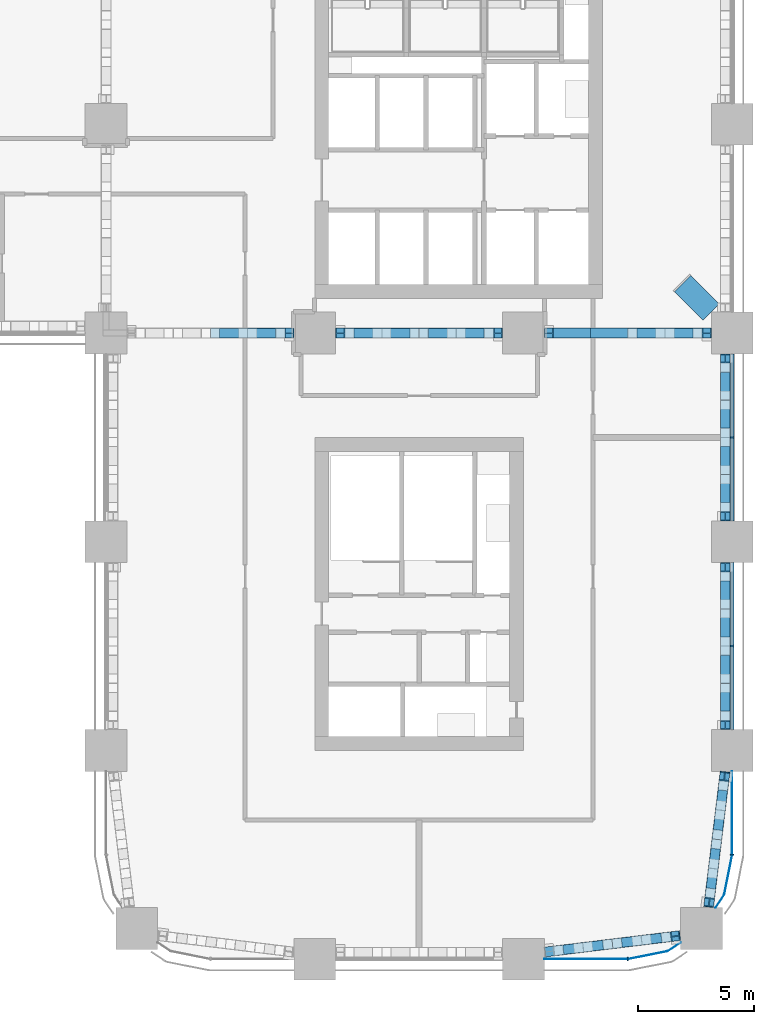
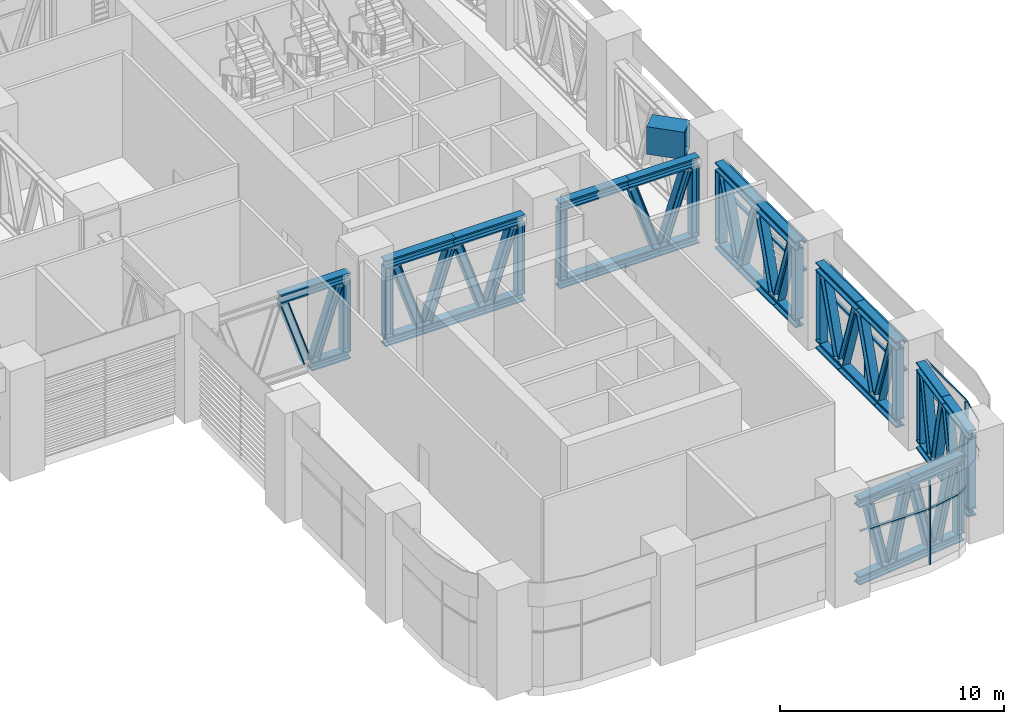
# One storey, part 5 of 24: 80 members, 1 beam, 4 elements without a shape of their own.
"""IFC4 building model written with IfcOpenShell, lengths in metres."""

from ifc_helpers import new_model, si_unit, direction, frame, origin, origin_2d, place, context, subcontext, project, spatial, polyline, rectangle, hollow_rectangle, i_section, outline, extrude, material, material_profile, profile_set, type_object, element, aggregate, save


model = new_model("IFC4")

# Units and contexts
model_context = context("Model", 3, precision=1e-05, world=origin(), true_north=direction((0.0, 1.0)))
body_context = subcontext(model_context, "Body", "Model", "MODEL_VIEW")
ifc_project = project(units=[si_unit("LENGTHUNIT", "METRE"), si_unit("AREAUNIT", "SQUARE_METRE"), si_unit("VOLUMEUNIT", "CUBIC_METRE"), si_unit("PLANEANGLEUNIT", "RADIAN"), si_unit("MASSUNIT", "GRAM", prefix="KILO")], contexts=[model_context])

# Site, building, storey
site_placement = place(None, origin())
site = spatial("IfcSite", under=ifc_project, at=site_placement, CompositionType="ELEMENT")
building_placement = place(site_placement, origin())
building = spatial("IfcBuilding", under=site, at=building_placement, Name="Tessera Arch", CompositionType="ELEMENT")
storey_placement = place(building_placement, frame((0.0, 0.0, 123.39990234375)))
storey = spatial("IfcBuildingStorey", under=building, at=storey_placement, Name="L29", CompositionType="ELEMENT", Elevation=123.39990234375)

# Curtain wall, member
ifc_material_1 = material(Name="CW7 curtain wall")
curtain_wall_type = type_object("IfcCurtainWallType", Name="CW7 curtain wall", PredefinedType="NOTDEFINED", material=ifc_material_1)
curtain_wall_1_placement = place(storey_placement, origin())
curtain_wall_1 = element("IfcCurtainWall", 1, at=curtain_wall_1_placement, inside=storey, type_object=curtain_wall_type, Name="CW7 curtain wall S0.27/2 L29", PredefinedType="NOTDEFINED")
ifc_material_2 = material(Name="Anodised aluminium pale metal", Category="aluminium")
ifc_material_profile_1 = material_profile(ifc_material_2, rectangle(XDim=0.159912109375, YDim=0.06005859375, at=origin_2d()), Name="AL 60x160")
ifc_profile_set_1 = profile_set([ifc_material_profile_1], Name="Anodised aluminium pale metal")
member_type_1 = type_object("IfcMemberType", Name="CW7 mullion", PredefinedType="MULLION", material=ifc_profile_set_1)
member_1_placement = place(storey_placement, frame((49.5, 0.0, 0.0), z_axis=(0.0, 0.0, 1.0), x_axis=(0.0, 1.0, 0.0)))
member_1 = element("IfcMember", 2, at=member_1_placement, type_object=member_type_1, Name="CW7 mullion S0.27/2 1", PredefinedType="MULLION", context=body_context, shape_type="SweptSolid", body=[
    extrude(rectangle(XDim=0.159912109375, YDim=0.06005859375, at=origin_2d()), origin(), (0.0, 0.0, 1.0), 4.580078125),
])

curtain_wall_2_placement = place(storey_placement, origin())
curtain_wall_2 = element("IfcCurtainWall", 3, at=curtain_wall_2_placement, inside=storey, type_object=curtain_wall_type, Name="CW7 curtain wall E54.0/0 L29", PredefinedType="NOTDEFINED")
member_2_placement = place(storey_placement, frame((54.0, 4.5, 0.0), z_axis=(0.0, 0.0, 1.0), x_axis=(-1.0, 0.0, 0.0)))
member_2 = element("IfcMember", 4, at=member_2_placement, type_object=member_type_1, Name="CW7 mullion E54.0/0 1", PredefinedType="MULLION", context=body_context, shape_type="SweptSolid", body=[
    extrude(rectangle(XDim=0.159912109375, YDim=0.06005859375, at=origin_2d()), origin(), (0.0, 0.0, 1.0), 4.580078125),
])

curtain_wall_3_placement = place(storey_placement, origin())
curtain_wall_3 = element("IfcCurtainWall", 5, at=curtain_wall_3_placement, inside=storey, type_object=curtain_wall_type, Name="CW7 curtain wall E54.0/1 L29", PredefinedType="NOTDEFINED")
member_3_placement = place(storey_placement, frame((54.0, 13.5, 0.0), z_axis=(0.0, 0.0, 1.0), x_axis=(-1.0, 0.0, 0.0)))
member_3 = element("IfcMember", 6, at=member_3_placement, type_object=member_type_1, Name="CW7 mullion E54.0/1 1", PredefinedType="MULLION", context=body_context, shape_type="SweptSolid", body=[
    extrude(rectangle(XDim=0.159912109375, YDim=0.06005859375, at=origin_2d()), origin(), (0.0, 0.0, 1.0), 4.47021484375),
])

curtain_wall_4_placement = place(storey_placement, origin())
curtain_wall_4 = element("IfcCurtainWall", 7, at=curtain_wall_4_placement, inside=storey, type_object=curtain_wall_type, Name="CW7 curtain wall E54.0/2 L29", PredefinedType="NOTDEFINED")
member_4_placement = place(storey_placement, frame((54.0, 22.5, 0.0), z_axis=(0.0, 0.0, 1.0), x_axis=(-1.0, 0.0, 0.0)))
member_4 = element("IfcMember", 8, at=member_4_placement, type_object=member_type_1, Name="CW7 mullion E54.0/2 1", PredefinedType="MULLION", context=body_context, shape_type="SweptSolid", body=[
    extrude(rectangle(XDim=0.159912109375, YDim=0.06005859375, at=origin_2d()), origin(), (0.0, 0.0, 1.0), 4.47021484375),
])

# Member
ifc_material_3 = material(Name="Anodised aluminium pale metal", Category="aluminium")
ifc_material_profile_2 = material_profile(ifc_material_3, rectangle(XDim=0.159912109375, YDim=0.1201171875, at=origin_2d()), Name="AL 160x120")
ifc_profile_set_2 = profile_set([ifc_material_profile_2], Name="Anodised aluminium pale metal")
member_type_2 = type_object("IfcMemberType", Name="CW7 transom", PredefinedType="USERDEFINED", material=ifc_profile_set_2)
member_5_placement = place(storey_placement, frame((0.0, 0.0, 3.0)))
member_5 = element("IfcMember", 9, at=member_5_placement, type_object=member_type_2, Name="CW7 transom S0.27/2 1", ObjectType="TRANSOM", PredefinedType="USERDEFINED", context=body_context, shape_type="SweptSolid", body=[
    extrude(outline(polyline([(49.4990234375, 0.010009765625), (45.89990234375, 0.010009765625), (45.89990234375, -0.010009765625), (49.5009765625, -0.010009765625), (51.22607421875, 0.3330078125), (51.78759765625, 0.70849609375), (51.7763671875, 0.72509765625), (51.21826171875, 0.351806640625), (49.4990234375, 0.010009765625)])), origin(), (0.0, 0.0, 1.0), 0.1201171875),
])

member_6_placement = place(storey_placement, frame((0.0, 0.0, 4.580078125)))
member_6 = element("IfcMember", 10, at=member_6_placement, type_object=member_type_2, Name="CW7 transom S0.27/2 2", ObjectType="TRANSOM", PredefinedType="USERDEFINED", context=body_context, shape_type="SweptSolid", body=[
    extrude(outline(polyline([(49.4990234375, 0.010009765625), (45.89990234375, 0.010009765625), (45.89990234375, -0.010009765625), (49.5009765625, -0.010009765625), (51.22607421875, 0.3330078125), (51.78759765625, 0.70849609375), (51.7763671875, 0.72509765625), (51.21826171875, 0.351806640625), (49.4990234375, 0.010009765625)])), origin(), (0.0, 0.0, 1.0), 0.1201171875),
])

aggregate(curtain_wall_1, [member_1, member_5, member_6])

member_7_placement = place(storey_placement, frame((0.0, 0.0, 3.0)))
member_7 = element("IfcMember", 11, at=member_7_placement, type_object=member_type_2, Name="CW7 transom E54.0/0 1", ObjectType="TRANSOM", PredefinedType="USERDEFINED", context=body_context, shape_type="SweptSolid", body=[
    extrude(outline(polyline([(53.648193359375, 2.78173828125), (53.27490234375, 2.2236328125), (53.29150390625, 2.21240234375), (53.6669921875, 2.77392578125), (54.010009765625, 4.4990234375), (54.010009765625, 8.10009765625), (53.989990234375, 8.10009765625), (53.989990234375, 4.5009765625), (53.648193359375, 2.78173828125)])), origin(), (0.0, 0.0, 1.0), 0.1201171875),
])

member_8_placement = place(storey_placement, frame((0.0, 0.0, 4.580078125)))
member_8 = element("IfcMember", 12, at=member_8_placement, type_object=member_type_2, Name="CW7 transom E54.0/0 2", ObjectType="TRANSOM", PredefinedType="USERDEFINED", context=body_context, shape_type="SweptSolid", body=[
    extrude(outline(polyline([(53.648193359375, 2.78173828125), (53.27490234375, 2.2236328125), (53.29150390625, 2.21240234375), (53.6669921875, 2.77392578125), (54.010009765625, 4.4990234375), (54.010009765625, 8.10009765625), (53.989990234375, 8.10009765625), (53.989990234375, 4.5009765625), (53.648193359375, 2.78173828125)])), origin(), (0.0, 0.0, 1.0), 0.1201171875),
])

aggregate(curtain_wall_2, [member_2, member_7, member_8])

member_9_placement = place(storey_placement, frame((54.0, 9.89990234375, 4.530029296875), z_axis=(0.0, 1.0, 0.0), x_axis=(-1.0, 0.0, 0.0)))
member_9 = element("IfcMember", 13, at=member_9_placement, type_object=member_type_2, Name="CW7 transom E54.0/1 1.1", ObjectType="TRANSOM", PredefinedType="USERDEFINED", context=body_context, shape_type="SweptSolid", body=[
    extrude(rectangle(XDim=0.159912109375, YDim=0.1201171875, at=origin_2d()), origin(), (0.0, 0.0, 1.0), 7.2001953125),
])

member_10_placement = place(storey_placement, frame((54.0, 9.89990234375, 3.0), z_axis=(0.0, 1.0, 0.0), x_axis=(-1.0, 0.0, 0.0)))
member_10 = element("IfcMember", 14, at=member_10_placement, type_object=member_type_2, Name="CW7 transom E54.0/1 2.1", ObjectType="TRANSOM", PredefinedType="USERDEFINED", context=body_context, shape_type="SweptSolid", body=[
    extrude(rectangle(XDim=0.159912109375, YDim=0.1201171875, at=origin_2d()), origin(), (0.0, 0.0, 1.0), 7.2001953125),
])

aggregate(curtain_wall_3, [member_3, member_9, member_10])

member_11_placement = place(storey_placement, frame((54.0, 18.89990234375, 4.530029296875), z_axis=(0.0, 1.0, 0.0), x_axis=(-1.0, 0.0, 0.0)))
member_11 = element("IfcMember", 15, at=member_11_placement, type_object=member_type_2, Name="CW7 transom E54.0/2 1.1", ObjectType="TRANSOM", PredefinedType="USERDEFINED", context=body_context, shape_type="SweptSolid", body=[
    extrude(rectangle(XDim=0.159912109375, YDim=0.1201171875, at=origin_2d()), origin(), (0.0, 0.0, 1.0), 7.2001953125),
])

member_12_placement = place(storey_placement, frame((54.0, 18.89990234375, 3.0), z_axis=(0.0, 1.0, 0.0), x_axis=(-1.0, 0.0, 0.0)))
member_12 = element("IfcMember", 16, at=member_12_placement, type_object=member_type_2, Name="CW7 transom E54.0/2 2.1", ObjectType="TRANSOM", PredefinedType="USERDEFINED", context=body_context, shape_type="SweptSolid", body=[
    extrude(rectangle(XDim=0.159912109375, YDim=0.1201171875, at=origin_2d()), origin(), (0.0, 0.0, 1.0), 7.2001953125),
])

aggregate(curtain_wall_4, [member_4, member_11, member_12])

# Beam
ifc_material_4 = material(Name="Steel A572 Gr50", Category="steel")
ifc_material_profile_3 = material_profile(ifc_material_4, hollow_rectangle(XDim=1.0, YDim=1.5, WallThickness=0.080078125, at=origin_2d()), Name="BOX 1000x1500x80")
ifc_profile_set_3 = profile_set([ifc_material_profile_3], Name="Steel A572 Gr50")
beam_type = type_object("IfcBeamType", Name="Corner transfer girder BOX 1000x1500x80", PredefinedType="BEAM", material=ifc_profile_set_3)
beam_placement = place(storey_placement, frame((53.10009765625, 27.89990234375, 4.9501953125), z_axis=(-0.707106781187, 0.707106781187, 0.0), x_axis=(-0.707106781187, -0.707106781187, 0.0)))
element("IfcBeam", 17, at=beam_placement, inside=storey, type_object=beam_type, Name="Corner transfer girder C7D", PredefinedType="BEAM", context=body_context, shape_type="SweptSolid", body=[
    extrude(hollow_rectangle(XDim=1.0, YDim=1.5, WallThickness=0.080078125, at=origin_2d()), origin(), (0.0, 0.0, 1.0), 1.751953125),
])

# Members
ifc_material_5 = material(Name="Steel A992 Gr50", Category="steel")
ifc_material_profile_4 = material_profile(ifc_material_5, i_section(OverallWidth=0.424072265625, OverallDepth=0.47412109375, WebThickness=0.047607421875, FlangeThickness=0.0771484375, at=origin_2d()), Name="W14x426")
ifc_profile_set_4 = profile_set([ifc_material_profile_4], Name="Steel A992 Gr50")
member_type_3 = type_object("IfcMemberType", Name="Truss chord W14x426", PredefinedType="CHORD", material=ifc_profile_set_4)
member_13_placement = place(storey_placement, frame((45.925537109375, 0.305419921875, 4.462890625), z_axis=(0.992662465055, 0.120918280139, 0.0), x_axis=(-0.120918280139, 0.992662465055, 0.0)))
element("IfcMember", 18, at=member_13_placement, inside=storey, type_object=member_type_3, Name="Belt truss top chord 1", PredefinedType="CHORD", context=body_context, shape_type="SweptSolid", body=[
    extrude(i_section(OverallWidth=0.424072265625, OverallDepth=0.47412109375, WebThickness=0.047607421875, FlangeThickness=0.0771484375, at=origin_2d()), origin(), (0.0, 0.0, 1.0), 2.931640625),
])
member_14_placement = place(storey_placement, frame((48.835693359375, 0.659912109375, 4.462890625), z_axis=(0.992661247291, 0.12092827679, 0.0), x_axis=(-0.12092827679, 0.992661247291, 0.0)))
element("IfcMember", 19, at=member_14_placement, inside=storey, type_object=member_type_3, Name="Belt truss top chord 2", PredefinedType="CHORD", context=body_context, shape_type="SweptSolid", body=[
    extrude(i_section(OverallWidth=0.424072265625, OverallDepth=0.47412109375, WebThickness=0.047607421875, FlangeThickness=0.0771484375, at=origin_2d()), origin(), (0.0, 0.0, 1.0), 2.931396484375),
])
member_15_placement = place(storey_placement, frame((45.925537109375, 0.305419921875, 0.2373046875), z_axis=(0.992670388674, 0.120853214479, 0.0), x_axis=(-0.120853214479, 0.992670388674, 0.0)))
element("IfcMember", 20, at=member_15_placement, inside=storey, type_object=member_type_3, Name="Belt truss bottom chord 1", PredefinedType="CHORD", context=body_context, shape_type="SweptSolid", body=[
    extrude(i_section(OverallWidth=0.424072265625, OverallDepth=0.47412109375, WebThickness=0.047607421875, FlangeThickness=0.0771484375, at=origin_2d()), origin(), (0.0, 0.0, 1.0), 1.66259765625),
])
member_16_placement = place(storey_placement, frame((47.575927734375, 0.50634765625, 0.2373046875), z_axis=(0.992650669676, 0.121015073404, 0.0), x_axis=(-0.121015073404, 0.992650669676, 0.0)))
element("IfcMember", 21, at=member_16_placement, inside=storey, type_object=member_type_3, Name="Belt truss bottom chord 2", PredefinedType="CHORD", context=body_context, shape_type="SweptSolid", body=[
    extrude(i_section(OverallWidth=0.424072265625, OverallDepth=0.47412109375, WebThickness=0.047607421875, FlangeThickness=0.0771484375, at=origin_2d()), origin(), (0.0, 0.0, 1.0), 2.537841796875),
])
member_17_placement = place(storey_placement, frame((50.09521484375, 0.8134765625, 0.2373046875), z_axis=(0.992670388674, 0.120853214479, 0.0), x_axis=(-0.120853214479, 0.992670388674, 0.0)))
element("IfcMember", 22, at=member_17_placement, inside=storey, type_object=member_type_3, Name="Belt truss bottom chord 3", PredefinedType="CHORD", context=body_context, shape_type="SweptSolid", body=[
    extrude(i_section(OverallWidth=0.424072265625, OverallDepth=0.47412109375, WebThickness=0.047607421875, FlangeThickness=0.0771484375, at=origin_2d()), origin(), (0.0, 0.0, 1.0), 1.66259765625),
])
member_18_placement = place(storey_placement, frame((52.985595703125, 2.25439453125, 4.462890625), z_axis=(0.12092827679, 0.992661247291, 0.0), x_axis=(-0.992661247291, 0.12092827679, 0.0)))
element("IfcMember", 23, at=member_18_placement, inside=storey, type_object=member_type_3, Name="Belt truss top chord 1", PredefinedType="CHORD", context=body_context, shape_type="SweptSolid", body=[
    extrude(i_section(OverallWidth=0.424072265625, OverallDepth=0.47412109375, WebThickness=0.047607421875, FlangeThickness=0.0771484375, at=origin_2d()), origin(), (0.0, 0.0, 1.0), 2.931396484375),
])
member_19_placement = place(storey_placement, frame((53.340087890625, 5.164306640625, 4.462890625), z_axis=(0.120918280139, 0.992662465055, 0.0), x_axis=(-0.992662465055, 0.120918280139, 0.0)))
element("IfcMember", 24, at=member_19_placement, inside=storey, type_object=member_type_3, Name="Belt truss top chord 2", PredefinedType="CHORD", context=body_context, shape_type="SweptSolid", body=[
    extrude(i_section(OverallWidth=0.424072265625, OverallDepth=0.47412109375, WebThickness=0.047607421875, FlangeThickness=0.0771484375, at=origin_2d()), origin(), (0.0, 0.0, 1.0), 2.931640625),
])
member_20_placement = place(storey_placement, frame((52.985595703125, 2.25439453125, 0.2373046875), z_axis=(0.120853214479, 0.992670388674, 0.0), x_axis=(-0.992670388674, 0.120853214479, 0.0)))
element("IfcMember", 25, at=member_20_placement, inside=storey, type_object=member_type_3, Name="Belt truss bottom chord 1", PredefinedType="CHORD", context=body_context, shape_type="SweptSolid", body=[
    extrude(i_section(OverallWidth=0.424072265625, OverallDepth=0.47412109375, WebThickness=0.047607421875, FlangeThickness=0.0771484375, at=origin_2d()), origin(), (0.0, 0.0, 1.0), 1.66259765625),
])
member_21_placement = place(storey_placement, frame((53.1865234375, 3.90478515625, 0.2373046875), z_axis=(0.121015073404, 0.992650669676, 0.0), x_axis=(-0.992650669676, 0.121015073404, 0.0)))
element("IfcMember", 26, at=member_21_placement, inside=storey, type_object=member_type_3, Name="Belt truss bottom chord 2", PredefinedType="CHORD", context=body_context, shape_type="SweptSolid", body=[
    extrude(i_section(OverallWidth=0.424072265625, OverallDepth=0.47412109375, WebThickness=0.047607421875, FlangeThickness=0.0771484375, at=origin_2d()), origin(), (0.0, 0.0, 1.0), 2.537841796875),
])
member_22_placement = place(storey_placement, frame((53.49365234375, 6.424072265625, 0.2373046875), z_axis=(0.120853214479, 0.992670388674, 0.0), x_axis=(-0.992670388674, 0.120853214479, 0.0)))
element("IfcMember", 27, at=member_22_placement, inside=storey, type_object=member_type_3, Name="Belt truss bottom chord 3", PredefinedType="CHORD", context=body_context, shape_type="SweptSolid", body=[
    extrude(i_section(OverallWidth=0.424072265625, OverallDepth=0.47412109375, WebThickness=0.047607421875, FlangeThickness=0.0771484375, at=origin_2d()), origin(), (0.0, 0.0, 1.0), 1.66259765625),
])
for number, where, z_axis, x_axis, name in (
    (28, (53.699951171875, 9.89990234375, 4.462890625), (0.0, 1.0, 0.0), (-1.0, 0.0, 0.0), "Belt truss top chord 1"),
    (29, (53.699951171875, 13.5, 4.462890625), (0.0, 1.0, 0.0), (-1.0, 0.0, 0.0), "Belt truss top chord 2"),
):
    element("IfcMember", number, at=place(storey_placement, frame(where, z_axis=z_axis, x_axis=x_axis)), inside=storey, type_object=member_type_3, Name=name, PredefinedType="CHORD", context=body_context, shape_type="SweptSolid", body=[
        extrude(i_section(OverallWidth=0.424072265625, OverallDepth=0.47412109375, WebThickness=0.047607421875, FlangeThickness=0.0771484375, at=origin_2d()), origin(), (0.0, 0.0, 1.0), 3.60009765625),
    ])
member_23_placement = place(storey_placement, frame((53.699951171875, 9.89990234375, 0.2373046875), z_axis=(0.0, 1.0, 0.0), x_axis=(-1.0, 0.0, 0.0)))
element("IfcMember", 30, at=member_23_placement, inside=storey, type_object=member_type_3, Name="Belt truss bottom chord 1", PredefinedType="CHORD", context=body_context, shape_type="SweptSolid", body=[
    extrude(i_section(OverallWidth=0.424072265625, OverallDepth=0.47412109375, WebThickness=0.047607421875, FlangeThickness=0.0771484375, at=origin_2d()), origin(), (0.0, 0.0, 1.0), 1.996826171875),
])
member_24_placement = place(storey_placement, frame((53.699951171875, 11.896728515625, 0.2373046875), z_axis=(0.0, 1.0, 0.0), x_axis=(-1.0, 0.0, 0.0)))
element("IfcMember", 31, at=member_24_placement, inside=storey, type_object=member_type_3, Name="Belt truss bottom chord 2", PredefinedType="CHORD", context=body_context, shape_type="SweptSolid", body=[
    extrude(i_section(OverallWidth=0.424072265625, OverallDepth=0.47412109375, WebThickness=0.047607421875, FlangeThickness=0.0771484375, at=origin_2d()), origin(), (0.0, 0.0, 1.0), 3.20654296875),
])
member_25_placement = place(storey_placement, frame((53.699951171875, 15.103271484375, 0.2373046875), z_axis=(0.0, 1.0, 0.0), x_axis=(-1.0, 0.0, 0.0)))
element("IfcMember", 32, at=member_25_placement, inside=storey, type_object=member_type_3, Name="Belt truss bottom chord 3", PredefinedType="CHORD", context=body_context, shape_type="SweptSolid", body=[
    extrude(i_section(OverallWidth=0.424072265625, OverallDepth=0.47412109375, WebThickness=0.047607421875, FlangeThickness=0.0771484375, at=origin_2d()), origin(), (0.0, 0.0, 1.0), 1.996826171875),
])
for number, where, z_axis, x_axis, name in (
    (33, (53.699951171875, 18.89990234375, 4.462890625), (0.0, 1.0, 0.0), (-1.0, 0.0, 0.0), "Belt truss top chord 1"),
    (34, (53.699951171875, 22.5, 4.462890625), (0.0, 1.0, 0.0), (-1.0, 0.0, 0.0), "Belt truss top chord 2"),
):
    element("IfcMember", number, at=place(storey_placement, frame(where, z_axis=z_axis, x_axis=x_axis)), inside=storey, type_object=member_type_3, Name=name, PredefinedType="CHORD", context=body_context, shape_type="SweptSolid", body=[
        extrude(i_section(OverallWidth=0.424072265625, OverallDepth=0.47412109375, WebThickness=0.047607421875, FlangeThickness=0.0771484375, at=origin_2d()), origin(), (0.0, 0.0, 1.0), 3.60009765625),
    ])
member_26_placement = place(storey_placement, frame((53.699951171875, 18.89990234375, 0.2373046875), z_axis=(0.0, 1.0, 0.0), x_axis=(-1.0, 0.0, 0.0)))
element("IfcMember", 35, at=member_26_placement, inside=storey, type_object=member_type_3, Name="Belt truss bottom chord 1", PredefinedType="CHORD", context=body_context, shape_type="SweptSolid", body=[
    extrude(i_section(OverallWidth=0.424072265625, OverallDepth=0.47412109375, WebThickness=0.047607421875, FlangeThickness=0.0771484375, at=origin_2d()), origin(), (0.0, 0.0, 1.0), 1.996826171875),
])
member_27_placement = place(storey_placement, frame((53.699951171875, 20.896728515625, 0.2373046875), z_axis=(0.0, 1.0, 0.0), x_axis=(-1.0, 0.0, 0.0)))
element("IfcMember", 36, at=member_27_placement, inside=storey, type_object=member_type_3, Name="Belt truss bottom chord 2", PredefinedType="CHORD", context=body_context, shape_type="SweptSolid", body=[
    extrude(i_section(OverallWidth=0.424072265625, OverallDepth=0.47412109375, WebThickness=0.047607421875, FlangeThickness=0.0771484375, at=origin_2d()), origin(), (0.0, 0.0, 1.0), 3.20654296875),
])
member_28_placement = place(storey_placement, frame((53.699951171875, 24.103271484375, 0.2373046875), z_axis=(0.0, 1.0, 0.0), x_axis=(-1.0, 0.0, 0.0)))
element("IfcMember", 37, at=member_28_placement, inside=storey, type_object=member_type_3, Name="Belt truss bottom chord 3", PredefinedType="CHORD", context=body_context, shape_type="SweptSolid", body=[
    extrude(i_section(OverallWidth=0.424072265625, OverallDepth=0.47412109375, WebThickness=0.047607421875, FlangeThickness=0.0771484375, at=origin_2d()), origin(), (0.0, 0.0, 1.0), 1.996826171875),
])
member_29_placement = place(storey_placement, frame((31.5, 27.0, 4.462890625), z_axis=(1.0, 0.0, 0.0), x_axis=(0.0, 1.0, 0.0)))
element("IfcMember", 38, at=member_29_placement, inside=storey, type_object=member_type_3, Name="Belt truss top chord 2", PredefinedType="CHORD", context=body_context, shape_type="SweptSolid", body=[
    extrude(i_section(OverallWidth=0.424072265625, OverallDepth=0.47412109375, WebThickness=0.047607421875, FlangeThickness=0.0771484375, at=origin_2d()), origin(), (0.0, 0.0, 1.0), 3.599853515625),
])
member_30_placement = place(storey_placement, frame((33.10302734375, 27.0, 0.2373046875), z_axis=(1.0, 0.0, 0.0), x_axis=(0.0, 1.0, 0.0)))
element("IfcMember", 39, at=member_30_placement, inside=storey, type_object=member_type_3, Name="Belt truss bottom chord 3", PredefinedType="CHORD", context=body_context, shape_type="SweptSolid", body=[
    extrude(i_section(OverallWidth=0.424072265625, OverallDepth=0.47412109375, WebThickness=0.047607421875, FlangeThickness=0.0771484375, at=origin_2d()), origin(), (0.0, 0.0, 1.0), 1.996826171875),
])
for number, where, z_axis, x_axis, name in (
    (40, (36.900146484375, 27.0, 4.462890625), (1.0, 0.0, 0.0), (0.0, 1.0, 0.0), "Belt truss top chord 1"),
    (41, (40.5, 27.0, 4.462890625), (1.0, 0.0, 0.0), (0.0, 1.0, 0.0), "Belt truss top chord 2"),
):
    element("IfcMember", number, at=place(storey_placement, frame(where, z_axis=z_axis, x_axis=x_axis)), inside=storey, type_object=member_type_3, Name=name, PredefinedType="CHORD", context=body_context, shape_type="SweptSolid", body=[
        extrude(i_section(OverallWidth=0.424072265625, OverallDepth=0.47412109375, WebThickness=0.047607421875, FlangeThickness=0.0771484375, at=origin_2d()), origin(), (0.0, 0.0, 1.0), 3.599853515625),
    ])
member_31_placement = place(storey_placement, frame((36.900146484375, 27.0, 0.2373046875), z_axis=(1.0, 0.0, 0.0), x_axis=(0.0, 1.0, 0.0)))
element("IfcMember", 42, at=member_31_placement, inside=storey, type_object=member_type_3, Name="Belt truss bottom chord 1", PredefinedType="CHORD", context=body_context, shape_type="SweptSolid", body=[
    extrude(i_section(OverallWidth=0.424072265625, OverallDepth=0.47412109375, WebThickness=0.047607421875, FlangeThickness=0.0771484375, at=origin_2d()), origin(), (0.0, 0.0, 1.0), 1.996826171875),
])
member_32_placement = place(storey_placement, frame((38.89697265625, 27.0, 0.2373046875), z_axis=(1.0, 0.0, 0.0), x_axis=(0.0, 1.0, 0.0)))
element("IfcMember", 43, at=member_32_placement, inside=storey, type_object=member_type_3, Name="Belt truss bottom chord 2", PredefinedType="CHORD", context=body_context, shape_type="SweptSolid", body=[
    extrude(i_section(OverallWidth=0.424072265625, OverallDepth=0.47412109375, WebThickness=0.047607421875, FlangeThickness=0.0771484375, at=origin_2d()), origin(), (0.0, 0.0, 1.0), 3.2060546875),
])
member_33_placement = place(storey_placement, frame((42.10302734375, 27.0, 0.2373046875), z_axis=(1.0, 0.0, 0.0), x_axis=(0.0, 1.0, 0.0)))
element("IfcMember", 44, at=member_33_placement, inside=storey, type_object=member_type_3, Name="Belt truss bottom chord 3", PredefinedType="CHORD", context=body_context, shape_type="SweptSolid", body=[
    extrude(i_section(OverallWidth=0.424072265625, OverallDepth=0.47412109375, WebThickness=0.047607421875, FlangeThickness=0.0771484375, at=origin_2d()), origin(), (0.0, 0.0, 1.0), 1.996826171875),
])
for number, where, z_axis, x_axis, name in (
    (45, (45.900146484375, 27.0, 4.462890625), (1.0, 0.0, 0.0), (0.0, 1.0, 0.0), "Belt truss top chord 1"),
    (46, (49.5, 27.0, 4.462890625), (1.0, 0.0, 0.0), (0.0, 1.0, 0.0), "Belt truss top chord 2"),
):
    element("IfcMember", number, at=place(storey_placement, frame(where, z_axis=z_axis, x_axis=x_axis)), inside=storey, type_object=member_type_3, Name=name, PredefinedType="CHORD", context=body_context, shape_type="SweptSolid", body=[
        extrude(i_section(OverallWidth=0.424072265625, OverallDepth=0.47412109375, WebThickness=0.047607421875, FlangeThickness=0.0771484375, at=origin_2d()), origin(), (0.0, 0.0, 1.0), 3.599853515625),
    ])
member_34_placement = place(storey_placement, frame((45.900146484375, 27.0, 0.2373046875), z_axis=(1.0, 0.0, 0.0), x_axis=(0.0, 1.0, 0.0)))
element("IfcMember", 47, at=member_34_placement, inside=storey, type_object=member_type_3, Name="Belt truss bottom chord 1", PredefinedType="CHORD", context=body_context, shape_type="SweptSolid", body=[
    extrude(i_section(OverallWidth=0.424072265625, OverallDepth=0.47412109375, WebThickness=0.047607421875, FlangeThickness=0.0771484375, at=origin_2d()), origin(), (0.0, 0.0, 1.0), 1.996826171875),
])
member_35_placement = place(storey_placement, frame((47.89697265625, 27.0, 0.2373046875), z_axis=(1.0, 0.0, 0.0), x_axis=(0.0, 1.0, 0.0)))
element("IfcMember", 48, at=member_35_placement, inside=storey, type_object=member_type_3, Name="Belt truss bottom chord 2", PredefinedType="CHORD", context=body_context, shape_type="SweptSolid", body=[
    extrude(i_section(OverallWidth=0.424072265625, OverallDepth=0.47412109375, WebThickness=0.047607421875, FlangeThickness=0.0771484375, at=origin_2d()), origin(), (0.0, 0.0, 1.0), 3.2060546875),
])
member_36_placement = place(storey_placement, frame((51.10302734375, 27.0, 0.2373046875), z_axis=(1.0, 0.0, 0.0), x_axis=(0.0, 1.0, 0.0)))
element("IfcMember", 49, at=member_36_placement, inside=storey, type_object=member_type_3, Name="Belt truss bottom chord 3", PredefinedType="CHORD", context=body_context, shape_type="SweptSolid", body=[
    extrude(i_section(OverallWidth=0.424072265625, OverallDepth=0.47412109375, WebThickness=0.047607421875, FlangeThickness=0.0771484375, at=origin_2d()), origin(), (0.0, 0.0, 1.0), 1.996826171875),
])
ifc_material_6 = material(Name="Steel A992 Gr50", Category="steel")
ifc_material_profile_5 = material_profile(ifc_material_6, i_section(OverallWidth=0.406494140625, OverallDepth=0.41650390625, WebThickness=0.030029296875, FlangeThickness=0.048095703125, at=origin_2d()), Name="W14x257")
ifc_profile_set_5 = profile_set([ifc_material_profile_5], Name="Steel A992 Gr50")
member_type_4 = type_object("IfcMemberType", Name="Truss diagonal W14x257", PredefinedType="BRACE", material=ifc_profile_set_5)
for number, where, z_axis, x_axis, name in (
    (50, (46.521728515625, 0.3779296875, 4.160400390625), (0.228178784129, 0.027825080377, -0.973221561298), (-0.121047514191, 0.992646714248, 0.0), "Belt truss diagonal 1"),
    (51, (47.78125, 0.531494140625, 0.539794921875), (0.228240991109, 0.027824663666, 0.973206986242), (-0.121013220166, 0.992650895605, 0.0), "Belt truss diagonal 2"),
    (52, (49.041015625, 0.684814453125, 4.160400390625), (0.228178784129, 0.027825080377, -0.973221561298), (-0.121047514191, 0.992646714248, 0.0), "Belt truss diagonal 3"),
    (53, (50.300537109375, 0.83837890625, 0.539794921875), (0.228240991109, 0.027824663666, 0.973206986242), (-0.121013220166, 0.992650895605, 0.0), "Belt truss diagonal 4"),
    (54, (53.05810546875, 2.850341796875, 4.160400390625), (0.027824663666, 0.228240991109, -0.973206986242), (-0.992650895605, 0.121013220166, 0.0), "Belt truss diagonal 1"),
    (55, (53.211669921875, 4.110107421875, 0.539794921875), (0.027825080377, 0.228178784129, 0.973221561298), (-0.992646714248, 0.121047514191, 0.0), "Belt truss diagonal 2"),
    (56, (53.364990234375, 5.36962890625, 4.160400390625), (0.027824663666, 0.228240991109, -0.973206986242), (-0.992650895605, 0.121013220166, 0.0), "Belt truss diagonal 3"),
    (57, (53.5185546875, 6.62939453125, 0.539794921875), (0.027825080377, 0.228178784129, 0.973221561298), (-0.992646714248, 0.121047514191, 0.0), "Belt truss diagonal 4"),
):
    element("IfcMember", number, at=place(storey_placement, frame(where, z_axis=z_axis, x_axis=x_axis)), inside=storey, type_object=member_type_4, Name=name, PredefinedType="BRACE", context=body_context, shape_type="SweptSolid", body=[
        extrude(i_section(OverallWidth=0.406494140625, OverallDepth=0.41650390625, WebThickness=0.030029296875, FlangeThickness=0.048095703125, at=origin_2d()), origin(), (0.0, 0.0, 1.0), 3.72021484375),
    ])
for number, where, z_axis, x_axis, name in (
    (58, (53.699951171875, 10.4970703125, 4.142822265625), (0.0, 0.316557157585, -0.948573437316), (-1.0, 0.0, 0.0), "Belt truss diagonal 1"),
    (59, (53.699951171875, 12.10009765625, 0.557373046875), (0.0, 0.316557157585, 0.948573437316), (-1.0, 0.0, 0.0), "Belt truss diagonal 2"),
    (60, (53.699951171875, 13.703369140625, 4.142822265625), (0.0, 0.316557157585, -0.948573437316), (-1.0, 0.0, 0.0), "Belt truss diagonal 3"),
    (61, (53.699951171875, 15.306396484375, 0.557373046875), (0.0, 0.316557157585, 0.948573437316), (-1.0, 0.0, 0.0), "Belt truss diagonal 4"),
    (62, (53.699951171875, 19.4970703125, 4.142822265625), (0.0, 0.316557157585, -0.948573437316), (-1.0, 0.0, 0.0), "Belt truss diagonal 1"),
    (63, (53.699951171875, 21.10009765625, 0.557373046875), (0.0, 0.316557157585, 0.948573437316), (-1.0, 0.0, 0.0), "Belt truss diagonal 2"),
    (64, (53.699951171875, 22.703369140625, 4.142822265625), (0.0, 0.316557157585, -0.948573437316), (-1.0, 0.0, 0.0), "Belt truss diagonal 3"),
    (65, (53.699951171875, 24.306396484375, 0.557373046875), (0.0, 0.316557157585, 0.948573437316), (-1.0, 0.0, 0.0), "Belt truss diagonal 4"),
    (66, (31.703369140625, 27.0, 4.142822265625), (0.316557157585, 0.0, -0.948573437316), (0.0, 1.0, 0.0), "Belt truss diagonal 3"),
    (67, (33.306396484375, 27.0, 0.557373046875), (0.316557157585, 0.0, 0.948573437316), (0.0, 1.0, 0.0), "Belt truss diagonal 4"),
    (68, (37.4970703125, 27.0, 4.142822265625), (0.316557157585, 0.0, -0.948573437316), (0.0, 1.0, 0.0), "Belt truss diagonal 1"),
    (69, (39.10009765625, 27.0, 0.557373046875), (0.316557157585, 0.0, 0.948573437316), (0.0, 1.0, 0.0), "Belt truss diagonal 2"),
    (70, (40.703369140625, 27.0, 4.142822265625), (0.316557157585, 0.0, -0.948573437316), (0.0, 1.0, 0.0), "Belt truss diagonal 3"),
    (71, (42.306396484375, 27.0, 0.557373046875), (0.316557157585, 0.0, 0.948573437316), (0.0, 1.0, 0.0), "Belt truss diagonal 4"),
    (72, (49.703369140625, 27.0, 4.142822265625), (0.316557157585, 0.0, -0.948573437316), (0.0, 1.0, 0.0), "Belt truss diagonal 3"),
    (73, (51.306396484375, 27.0, 0.557373046875), (0.316557157585, 0.0, 0.948573437316), (0.0, 1.0, 0.0), "Belt truss diagonal 4"),
):
    element("IfcMember", number, at=place(storey_placement, frame(where, z_axis=z_axis, x_axis=x_axis)), inside=storey, type_object=member_type_4, Name=name, PredefinedType="BRACE", context=body_context, shape_type="SweptSolid", body=[
        extrude(i_section(OverallWidth=0.406494140625, OverallDepth=0.41650390625, WebThickness=0.030029296875, FlangeThickness=0.048095703125, at=origin_2d()), origin(), (0.0, 0.0, 1.0), 3.77978515625),
    ])
ifc_material_7 = material(Name="Steel A992 Gr50", Category="steel")
ifc_material_profile_6 = material_profile(ifc_material_7, i_section(OverallWidth=0.398681640625, OverallDepth=0.393798828125, WebThickness=0.022705078125, FlangeThickness=0.03662109375, at=origin_2d()), Name="W14x193")
ifc_profile_set_6 = profile_set([ifc_material_profile_6], Name="Steel A992 Gr50")
member_type_5 = type_object("IfcMemberType", Name="Truss post W14x193", PredefinedType="POST", material=ifc_profile_set_6)
for number, where, z_axis, x_axis, name in (
    (74, (51.55029296875, 0.99072265625, 0.474365234375), (0.0, 0.0, 1.0), (-0.120951762202, 0.992658385962, 0.0), "Belt truss end post 2"),
    (75, (53.00927734375, 2.44970703125, 0.474365234375), (0.0, 0.0, 1.0), (-0.992658385962, 0.120951762202, 0.0), "Belt truss end post 1"),
    (76, (53.6708984375, 7.87890625, 0.474365234375), (0.0, 0.0, 1.0), (-0.992658385962, 0.120951762202, 0.0), "Belt truss end post 2"),
    (77, (53.699951171875, 10.096923828125, 0.474365234375), (0.0, 0.0, 1.0), (1.0, 0.0, 0.0), "Belt truss end post 1"),
    (78, (53.699951171875, 16.903076171875, 0.474365234375), (0.0, 0.0, 1.0), (1.0, 0.0, 0.0), "Belt truss end post 2"),
    (79, (53.699951171875, 19.096923828125, 0.474365234375), (0.0, 0.0, 1.0), (1.0, 0.0, 0.0), "Belt truss end post 1"),
    (80, (53.699951171875, 25.903076171875, 0.474365234375), (0.0, 0.0, 1.0), (1.0, 0.0, 0.0), "Belt truss end post 2"),
    (81, (34.903076171875, 27.0, 0.474365234375), (0.0, 0.0, 1.0), (0.0, 1.0, 0.0), "Belt truss end post 2"),
    (82, (37.096923828125, 27.0, 0.474365234375), (0.0, 0.0, 1.0), (0.0, 1.0, 0.0), "Belt truss end post 1"),
    (83, (43.903076171875, 27.0, 0.474365234375), (0.0, 0.0, 1.0), (0.0, 1.0, 0.0), "Belt truss end post 2"),
    (84, (46.096923828125, 27.0, 0.474365234375), (0.0, 0.0, 1.0), (0.0, 1.0, 0.0), "Belt truss end post 1"),
    (85, (52.903076171875, 27.0, 0.474365234375), (0.0, 0.0, 1.0), (0.0, 1.0, 0.0), "Belt truss end post 2"),
):
    element("IfcMember", number, at=place(storey_placement, frame(where, z_axis=z_axis, x_axis=x_axis)), inside=storey, type_object=member_type_5, Name=name, PredefinedType="POST", context=body_context, shape_type="SweptSolid", body=[
        extrude(i_section(OverallWidth=0.398681640625, OverallDepth=0.393798828125, WebThickness=0.022705078125, FlangeThickness=0.03662109375, at=origin_2d()), origin(), (0.0, 0.0, 1.0), 3.75146484375),
    ])

save(model, "model.ifc")
